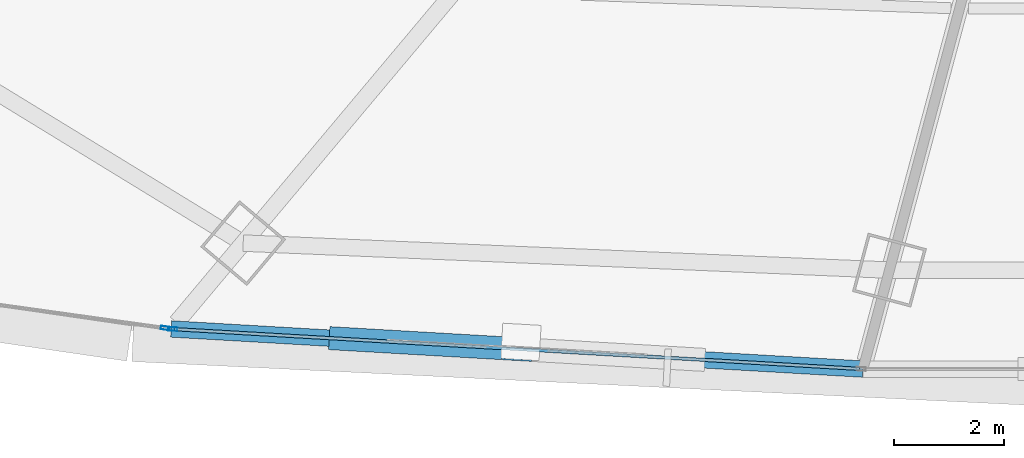
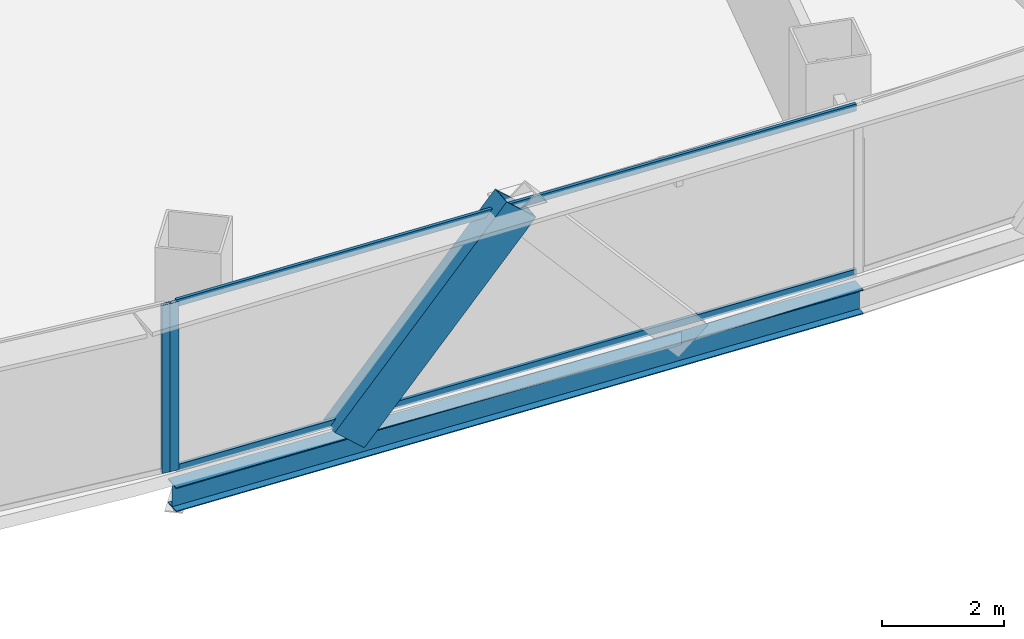
# One storey, part 6 of 38: 5 members, 1 beam, 2 elements without a shape of their own.
"""IFC4 building model written with IfcOpenShell, lengths in metres."""

from ifc_helpers import new_model, si_unit, direction, frame, origin, origin_2d, place, context, subcontext, project, spatial, hollow_rectangle, i_section, extrude, source, transform, mapped, material, layer, layer_set, material_profile, profile_set, type_object, element, aggregate, save


model = new_model("IFC4")

# Units and contexts
model_context = context("Model", 3, precision=1e-05, world=origin(), true_north=direction((0.0, 1.0)))
body_context = subcontext(model_context, "Body", "Model", "MODEL_VIEW")
ifc_project = project(units=[si_unit("LENGTHUNIT", "METRE"), si_unit("AREAUNIT", "SQUARE_METRE"), si_unit("VOLUMEUNIT", "CUBIC_METRE"), si_unit("PLANEANGLEUNIT", "RADIAN"), si_unit("MASSUNIT", "GRAM", prefix="KILO"), si_unit("THERMODYNAMICTEMPERATUREUNIT", "KELVIN"), si_unit("POWERUNIT", "WATT")], contexts=[model_context])

# Site, building, storey
site_placement = place(None, origin())
site = spatial("IfcSite", under=ifc_project, at=site_placement, CompositionType="ELEMENT")
building_placement = place(site_placement, origin())
building = spatial("IfcBuilding", under=site, at=building_placement, Name="Yunzhuo Pagoda Commons", CompositionType="ELEMENT")
storey_placement = place(building_placement, frame((0.0, 0.0, 37.659912109375)))
storey = spatial("IfcBuildingStorey", under=building, at=storey_placement, Name="L09", CompositionType="ELEMENT", Elevation=37.659912109375)

# Beam
ifc_material_1 = material(Name="Structural steel Q355B", Category="steel")
ifc_material_profile_1 = material_profile(ifc_material_1, i_section(OverallWidth=0.300048828125, OverallDepth=0.488037109375, WebThickness=0.010986328125, FlangeThickness=0.01806640625, at=origin_2d()), Name="Structural steel Q355B")
ifc_profile_set_1 = profile_set([ifc_material_profile_1], Name="Structural steel Q355B")
beam_type = type_object("IfcBeamType", Name="B-SP1 Beam HM 488x300x11x18", PredefinedType="BEAM", material=ifc_profile_set_1)
shared_shape_1 = source(origin(), body_context, "Body", "SweptSolid", [
    extrude(i_section(OverallWidth=0.300048828125, OverallDepth=0.488037109375, WebThickness=0.010986328125, FlangeThickness=0.01806640625, at=origin_2d()), origin(), (0.0, 0.0, 1.0), 12.630615234375),
])
beam_placement = place(storey_placement, frame((29.18701171875, 11.279541015625, -0.50390625), z_axis=(0.998321766978, -0.05791070349, 0.0), x_axis=(0.05791070349, 0.998321766978, 0.0)))
element("IfcBeam", 1, at=beam_placement, inside=storey, type_object=beam_type, Name="L09 facade edge spandrel beam F1.1", PredefinedType="BEAM", context=body_context, shape_type="MappedRepresentation", body=[
    mapped(shared_shape_1, transform((0.0, 0.0, 0.0), scale=1.0)),
])

# Member
ifc_material_2 = material(Name="Structural steel Q420B", Category="steel")
ifc_material_profile_2 = material_profile(ifc_material_2, hollow_rectangle(XDim=0.419921875, YDim=0.719970703125, WallThickness=0.028076171875, at=origin_2d()), Name="Structural steel Q420B")
ifc_profile_set_2 = profile_set([ifc_material_profile_2], Name="Structural steel Q420B")
member_type_1 = type_object("IfcMemberType", Name="M-DL1 Brace BOX 720x420x28", PredefinedType="BRACE", material=ifc_profile_set_2)
shared_shape_2 = source(origin(), body_context, "Body", "SweptSolid", [
    extrude(hollow_rectangle(XDim=0.419921875, YDim=0.719970703125, WallThickness=0.028076171875, at=origin_2d()), origin(), (0.0, 0.0, 1.0), 4.81103515625),
])
member_1_placement = place(storey_placement, frame((32.339599609375, 11.0966796875, -0.260009765625), z_axis=(0.655167963752, -0.038007962578, 0.754526562855), x_axis=(0.057915173823, 0.998321507652, 0.0)))
element("IfcMember", 2, at=member_1_placement, inside=storey, type_object=member_type_1, Name="L09 facade diamond brace F1.1L", PredefinedType="BRACE", context=body_context, shape_type="MappedRepresentation", body=[
    mapped(shared_shape_2, transform((0.0, 0.0, 0.0), scale=1.0)),
])

# Curtain wall, members
ifc_material_3 = material(Name="Anodized aluminium 6063-T6", Category="aluminium")
ifc_layer = layer(ifc_material_3, 0.1650390625)
ifc_layer_set = layer_set([ifc_layer], Name="Anodized aluminium 6063-T6")
curtain_wall_type = type_object("IfcCurtainWallType", Name="CW-LOW Low-Zone Ribbon Curtain Wall", PredefinedType="NOTDEFINED", material=ifc_layer_set)
curtain_wall_1_placement = place(storey_placement, origin())
curtain_wall_1 = element("IfcCurtainWall", 3, at=curtain_wall_1_placement, inside=storey, type_object=curtain_wall_type, Name="L09 curtain wall CW-L09-F1B2", PredefinedType="NOTDEFINED")
ifc_material_profile_3 = material_profile(ifc_material_3, hollow_rectangle(XDim=0.06005859375, YDim=0.139892578125, WallThickness=0.00341796875, at=origin_2d()), Name="Anodized aluminium 6063-T6")
ifc_profile_set_3 = profile_set([ifc_material_profile_3], Name="Anodized aluminium 6063-T6")
member_type_2 = type_object("IfcMemberType", Name="CW-LOW-T Transom RHS 140x60x3.5", PredefinedType="USERDEFINED", material=ifc_profile_set_3)
shared_shape_3 = source(origin(), body_context, "Body", "SweptSolid", [
    extrude(hollow_rectangle(XDim=0.06005859375, YDim=0.139892578125, WallThickness=0.00341796875, at=origin_2d()), origin(), (0.0, 0.0, 1.0), 12.5009765625),
])
member_2_placement = place(storey_placement, frame((29.251953125, 11.275634765625, 0.030029296875), z_axis=(0.998323184506, -0.057886261569, 0.0), x_axis=(0.057886261569, 0.998323184506, 0.0)))
member_2 = element("IfcMember", 4, at=member_2_placement, type_object=member_type_2, Name="CW transom 1.1", ObjectType="TRANSOM", PredefinedType="USERDEFINED", context=body_context, shape_type="MappedRepresentation", body=[
    mapped(shared_shape_3, transform((0.0, 0.0, 0.0), scale=1.0)),
])
member_3_placement = place(storey_placement, frame((29.251953125, 11.275634765625, 3.340087890625), z_axis=(0.998323184506, -0.057886261569, 0.0), x_axis=(0.057886261569, 0.998323184506, 0.0)))
member_3 = element("IfcMember", 5, at=member_3_placement, type_object=member_type_2, Name="CW transom 1.2", ObjectType="TRANSOM", PredefinedType="USERDEFINED", context=body_context, shape_type="MappedRepresentation", body=[
    mapped(shared_shape_3, transform((0.0, 0.0, 0.0), scale=1.0)),
])
ifc_material_profile_4 = material_profile(ifc_material_3, hollow_rectangle(XDim=0.06494140625, YDim=0.1650390625, WallThickness=0.00390625, at=origin_2d()), Name="Anodized aluminium 6063-T6")
ifc_profile_set_4 = profile_set([ifc_material_profile_4], Name="Anodized aluminium 6063-T6")
member_type_3 = type_object("IfcMemberType", Name="CW-LOW-M Mullion RHS 165x65x4", PredefinedType="MULLION", material=ifc_profile_set_4)
shared_shape_4 = source(origin(), body_context, "Body", "SweptSolid", [
    extrude(hollow_rectangle(XDim=0.06494140625, YDim=0.1650390625, WallThickness=0.00390625, at=origin_2d()), origin(), (0.0, 0.0, 1.0), 3.3701171875),
])
member_4_placement = place(storey_placement, frame((29.219482421875, 11.277587890625, 0.0), z_axis=(0.0, 0.0, 1.0), x_axis=(0.05789866519, 0.998322465223, 0.0)))
member_4 = element("IfcMember", 6, at=member_4_placement, type_object=member_type_3, Name="CW mullion 1", PredefinedType="MULLION", context=body_context, shape_type="MappedRepresentation", body=[
    mapped(shared_shape_4, transform((0.0, 0.0, 0.0), scale=1.0)),
])
aggregate(curtain_wall_1, [member_4, member_2, member_3])

# Curtain wall, member
curtain_wall_2_placement = place(storey_placement, origin())
curtain_wall_2 = element("IfcCurtainWall", 7, at=curtain_wall_2_placement, inside=storey, type_object=curtain_wall_type, Name="L09 curtain wall CW-L09-F1B1", PredefinedType="NOTDEFINED")
member_5_placement = place(storey_placement, frame((29.08056640625, 11.29443359375, 0.0), z_axis=(0.0, 0.0, 1.0), x_axis=(0.138293641491, 0.99039127052, 0.0)))
member_5 = element("IfcMember", 8, at=member_5_placement, type_object=member_type_3, Name="CW mullion 2", PredefinedType="MULLION", context=body_context, shape_type="MappedRepresentation", body=[
    mapped(shared_shape_4, transform((0.0, 0.0, 0.0), scale=1.0)),
])
aggregate(curtain_wall_2, [member_5])

save(model, "model.ifc")
